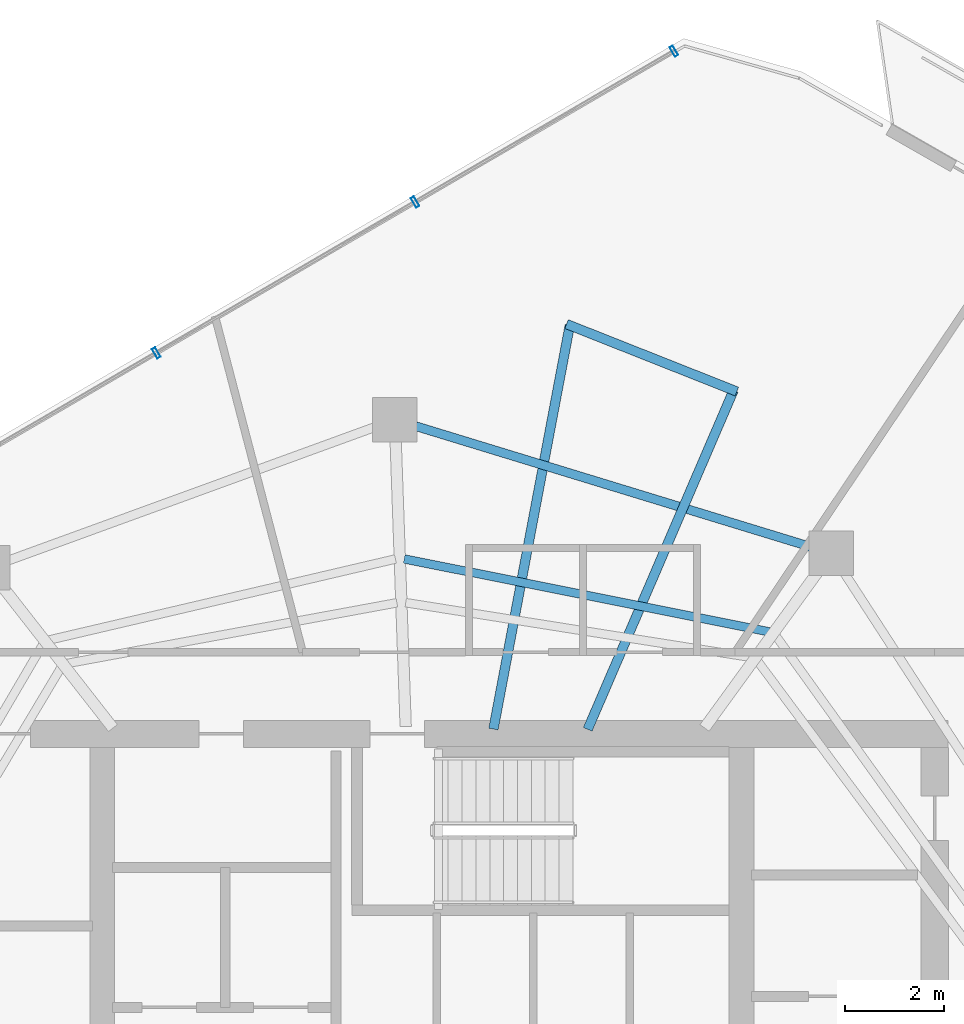
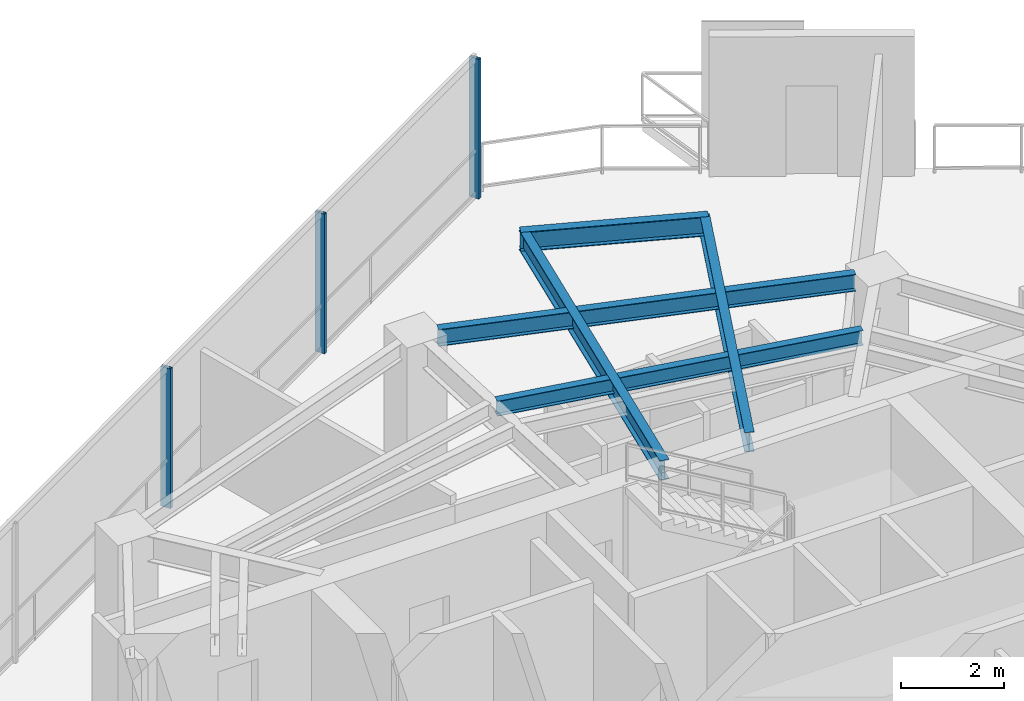
# One storey, part 12 of 19: 5 beams, 3 members, 1 element without a shape of its own.
"""IFC4 building model written with IfcOpenShell, lengths in metres."""

import ifcopenshell
import ifcopenshell.guid

model = None  # the IFC model being written
_history = None  # IfcOwnerHistory: only IFC2X3 demands one
_inside = {}  # id of a spatial element -> (the spatial element, [elements in it])
_under = {}  # id of a project, library or spatial element -> (it, [spatial elements below it])
_declared = {}  # id of a project -> (the project, [libraries it declares])
_typed = {}  # id of a type object -> (the type object, [elements of that type])
_made_of = {}  # id of a material, layer set ... -> (it, [elements and type objects made of it])


def new_model(schema):
    """Start an empty IFC model of exactly this schema.

    Asked for "IFC4X3", IfcOpenShell would pick the latest addendum, in which some entities
    have other attributes; the version numbers below select the first issue.
    IFC2X3 requires an IfcOwnerHistory on every rooted entity: one is made here for all.
    """
    global model, _history
    if schema == "IFC4X3":
        model = ifcopenshell.file(schema_version=(4, 3, 0, 0))
    else:
        model = ifcopenshell.file(schema=schema)
    _inside.clear()
    _under.clear()
    _declared.clear()
    _typed.clear()
    _made_of.clear()
    _history = None
    if model.schema == "IFC2X3":
        org = make("IfcOrganization", Name="unknown")
        user = make(
            "IfcPersonAndOrganization",
            ThePerson=make("IfcPerson", FamilyName="unknown"),
            TheOrganization=org,
        )
        app = make(
            "IfcApplication",
            ApplicationDeveloper=org,
            Version="unknown",
            ApplicationFullName="unknown",
            ApplicationIdentifier="unknown",
        )
        _history = make(
            "IfcOwnerHistory",
            OwningUser=user,
            OwningApplication=app,
            ChangeAction="ADDED",
            CreationDate=0,
        )
    return model


def make(cls, **values):
    """One entity of the class cls with the attributes given. An attribute that is None is left unset."""
    return model.create_entity(
        cls, **{name: value for name, value in values.items() if value is not None}
    )


def rooted(cls, **values):
    """An entity with a GlobalId (a new one), such as an element, a storey or a relation."""
    return make(cls, GlobalId=ifcopenshell.guid.new(), OwnerHistory=_history, **values)


def si_unit(unit_type, name, prefix=None):
    """IfcSIUnit, for example si_unit("LENGTHUNIT", "METRE", prefix="MILLI")."""
    return make("IfcSIUnit", UnitType=unit_type, Prefix=prefix, Name=name)


def assignment(units):
    """IfcUnitAssignment: the units of a project."""
    return None if units is None else make("IfcUnitAssignment", Units=units)


def point(xyz):
    """IfcCartesianPoint."""
    return None if xyz is None else make("IfcCartesianPoint", Coordinates=xyz)


def direction(xyz):
    """IfcDirection."""
    return None if xyz is None else make("IfcDirection", DirectionRatios=xyz)


def frame(location, z_axis=None, x_axis=None):
    """IfcAxis2Placement3D, a coordinate frame: its origin and axes. An axis left out is left unset."""
    return make(
        "IfcAxis2Placement3D",
        Location=point(location),
        Axis=direction(z_axis),
        RefDirection=direction(x_axis),
    )


def frame_2d(location, x_axis=None):
    """IfcAxis2Placement2D, a coordinate frame in the plane: its origin and x axis."""
    return make(
        "IfcAxis2Placement2D", Location=point(location), RefDirection=direction(x_axis)
    )


def origin():
    """The frame at (0, 0, 0) with its axes left unset."""
    return frame((0.0, 0.0, 0.0))


def origin_2d():
    """The frame at (0, 0) in the plane with its x axis left unset."""
    return frame_2d((0.0, 0.0))


def place(relative_to, where):
    """IfcLocalPlacement: puts the frame where relative to a parent placement (None: the world)."""
    return make(
        "IfcLocalPlacement", PlacementRelTo=relative_to, RelativePlacement=where
    )


def context(
    kind, dimensions, precision=None, world=None, true_north=None, identifier=None
):
    """IfcGeometricRepresentationContext, for example the 3D "Model" context."""
    return make(
        "IfcGeometricRepresentationContext",
        ContextIdentifier=identifier,
        ContextType=kind,
        CoordinateSpaceDimension=dimensions,
        Precision=precision,
        WorldCoordinateSystem=world,
        TrueNorth=true_north,
    )


def subcontext(parent, identifier, kind, view, scale=None):
    """IfcGeometricRepresentationSubContext, for example "Body" below "Model"."""
    return make(
        "IfcGeometricRepresentationSubContext",
        ContextIdentifier=identifier,
        ContextType=kind,
        ParentContext=parent,
        TargetScale=scale,
        TargetView=view,
    )


def project(units=None, contexts=None):
    """IfcProject with its units and contexts."""
    return rooted(
        "IfcProject",
        Name="project",
        RepresentationContexts=contexts,
        UnitsInContext=assignment(units),
    )


def spatial(cls, under=None, at=None, **own):
    """A site, building, storey or space (cls), placed at a placement, below another one or the project."""
    s = rooted(cls, ObjectPlacement=at, **own)
    if under is not None:
        _under.setdefault(under.id(), (under, []))[1].append(s)
    return s


def profile(cls, at=None, kind="AREA", **sizes):
    """A parametric profile (cls). Its sizes go by their IFC names, for example OverallWidth=200.0."""
    return make(cls, ProfileType=kind, Position=at, **sizes)


def hollow_rectangle(**sizes):
    """IfcRectangleHollowProfileDef."""
    return profile("IfcRectangleHollowProfileDef", **sizes)


def i_section(**sizes):
    """IfcIShapeProfileDef."""
    return profile("IfcIShapeProfileDef", **sizes)


def extrude(swept, where, along, depth):
    """IfcExtrudedAreaSolid: the profile swept, set in the frame where, extruded along a direction by depth."""
    return make(
        "IfcExtrudedAreaSolid",
        SweptArea=swept,
        Position=where,
        ExtrudedDirection=direction(along),
        Depth=depth,
    )


def shape(context_of_items, identifier, shape_type, items):
    """IfcShapeRepresentation: the items that make up one representation, for example the "Body"."""
    return make(
        "IfcShapeRepresentation",
        ContextOfItems=context_of_items,
        RepresentationIdentifier=identifier,
        RepresentationType=shape_type,
        Items=items,
    )


def material(Name=None, Category=None):
    """IfcMaterial."""
    return make("IfcMaterial", Name=Name, Category=Category)


def layer(
    of_material, thickness, ventilated=None, Name=None, Category=None, Priority=None
):
    """IfcMaterialLayer: one layer of a wall or slab, of a material (None: an air gap)."""
    return make(
        "IfcMaterialLayer",
        Material=of_material,
        LayerThickness=thickness,
        IsVentilated=ventilated,
        Name=Name,
        Category=Category,
        Priority=Priority,
    )


def layer_set(layers, Name=None):
    """IfcMaterialLayerSet."""
    return make("IfcMaterialLayerSet", MaterialLayers=layers, LayerSetName=Name)


def material_profile(
    of_material, cross_section, Name=None, Category=None, Priority=None
):
    """IfcMaterialProfile: a cross section and its material."""
    return make(
        "IfcMaterialProfile",
        Name=Name,
        Material=of_material,
        Profile=cross_section,
        Priority=Priority,
        Category=Category,
    )


def profile_set(profiles, Name=None, composite=None):
    """IfcMaterialProfileSet."""
    return make(
        "IfcMaterialProfileSet",
        Name=Name,
        MaterialProfiles=profiles,
        CompositeProfile=composite,
    )


def made_of(thing, what):
    """Note that an element or type object is made of a material, layer set ...; save() writes the relation."""
    if what is not None:
        _made_of.setdefault(what.id(), (what, []))[1].append(thing)
    return thing


def type_object(cls, material=None, **own):
    """A type object (cls), such as IfcWallType, which elements share."""
    return made_of(rooted(cls, **own), material)


def element(
    cls,
    number,
    at=None,
    inside=None,
    cuts=None,
    type_object=None,
    material=None,
    context=None,
    identifier="Body",
    shape_type=None,
    held_by="IfcProductDefinitionShape",
    body=None,
    shapes=None,
    **own,
):
    """One element of the class cls, such as IfcWall. Its Tag is "e" and its number.

    at: its placement. inside: the storey or other place that contains it. cuts: it is an
    opening in that element (IfcRelVoidsElement). A single representation is given by context,
    identifier, shape_type and body (its items); several are given by shapes. held_by: the class
    of the entity that holds the representations. save() writes the other relations.
    """
    e = rooted(cls, Tag="e%d" % number, ObjectPlacement=at, **own)
    if body is not None:
        shapes = [shape(context, identifier, shape_type, body)]
    if shapes is not None:
        e.Representation = make(held_by, Representations=shapes)
    if inside is not None:
        _inside.setdefault(inside.id(), (inside, []))[1].append(e)
    if cuts is not None:
        rooted(
            "IfcRelVoidsElement", RelatingBuildingElement=cuts, RelatedOpeningElement=e
        )
    if type_object is not None:
        _typed.setdefault(type_object.id(), (type_object, []))[1].append(e)
    return made_of(e, material)


def aggregate(whole, parts):
    """IfcRelAggregates: a whole, such as a stair, and the parts it consists of."""
    return rooted("IfcRelAggregates", RelatingObject=whole, RelatedObjects=parts)


def save(model, path):
    """Write the relations noted so far, then the file.

    IfcRelAggregates (storeys below a building ...), IfcRelContainedInSpatialStructure (elements
    in a storey), IfcRelDefinesByType, IfcRelAssociatesMaterial and IfcRelDeclares: one each for
    every whole, place, type object, material and project.
    """
    for whole, parts in _under.values():
        aggregate(whole, parts)
    for where, things in _inside.values():
        rooted(
            "IfcRelContainedInSpatialStructure",
            RelatedElements=things,
            RelatingStructure=where,
        )
    for kind, things in _typed.values():
        rooted("IfcRelDefinesByType", RelatedObjects=things, RelatingType=kind)
    for what, things in _made_of.values():
        rooted("IfcRelAssociatesMaterial", RelatedObjects=things, RelatingMaterial=what)
    for by, libraries in _declared.values():
        rooted("IfcRelDeclares", RelatingContext=by, RelatedDefinitions=libraries)
    model.write(path)


model = new_model("IFC4")

# Units and contexts
model_context = context("Model", 3, precision=1e-05, world=origin(), true_north=direction((0.0, 1.0)))
body_context = subcontext(model_context, "Body", "Model", "MODEL_VIEW")
ifc_project = project(units=[si_unit("LENGTHUNIT", "METRE"), si_unit("AREAUNIT", "SQUARE_METRE"), si_unit("VOLUMEUNIT", "CUBIC_METRE"), si_unit("PLANEANGLEUNIT", "RADIAN"), si_unit("MASSUNIT", "GRAM", prefix="KILO")], contexts=[model_context])

# Site, building, storey
site_placement = place(None, origin())
site = spatial("IfcSite", under=ifc_project, at=site_placement, CompositionType="ELEMENT")
building_placement = place(site_placement, origin())
building = spatial("IfcBuilding", under=site, at=building_placement, Name="Qarnah Convention Tower", CompositionType="ELEMENT")
storey_placement = place(building_placement, frame((0.0, 0.0, 180.60009765625)))
storey = spatial("IfcBuildingStorey", under=building, at=storey_placement, Name="L48", CompositionType="ELEMENT", Elevation=180.60009765625)

# Beams
ifc_material_1 = material(Name="Structural steel S355JR", Category="steel")
ifc_material_profile_1 = material_profile(ifc_material_1, i_section(OverallWidth=0.19189453125, OverallDepth=0.464111328125, WebThickness=0.010986328125, FlangeThickness=0.01806640625, at=origin_2d()), Name="W460X89")
ifc_profile_set_1 = profile_set([ifc_material_profile_1], Name="Structural steel S355JR")
beam_type_1 = type_object("IfcBeamType", Name="BM-CANT-W460A", PredefinedType="BEAM", material=ifc_profile_set_1)
beam_1_placement = place(storey_placement, frame((40.596923828125, 34.2919921875, 3.087890625), z_axis=(0.395334358974, 0.91853728537, 0.0), x_axis=(-0.91853728537, 0.395334358974, 0.0)))
element("IfcBeam", 1, at=beam_1_placement, inside=storey, type_object=beam_type_1, Name="L48 beam BM-L48-CNT-01-1", PredefinedType="BEAM", context=body_context, shape_type="SweptSolid", body=[
    extrude(i_section(OverallWidth=0.19189453125, OverallDepth=0.464111328125, WebThickness=0.010986328125, FlangeThickness=0.01806640625, at=origin_2d()), origin(), (0.0, 0.0, 1.0), 7.4521484375),
])
beam_2_placement = place(storey_placement, frame((38.694091796875, 34.298095703125, 3.087890625), z_axis=(0.185927001241, 0.982563560392, 0.0), x_axis=(-0.982563560392, 0.185927001241, 0.0)))
element("IfcBeam", 2, at=beam_2_placement, inside=storey, type_object=beam_type_1, Name="L48 beam BM-L48-CNT-01-2", PredefinedType="BEAM", context=body_context, shape_type="SweptSolid", body=[
    extrude(i_section(OverallWidth=0.19189453125, OverallDepth=0.464111328125, WebThickness=0.010986328125, FlangeThickness=0.01806640625, at=origin_2d()), origin(), (0.0, 0.0, 1.0), 8.29345703125),
])
beam_3_placement = place(storey_placement, frame((43.60791015625, 41.111083984375, 3.087890625), z_axis=(-0.929683207284, 0.368360060394, 0.0), x_axis=(-0.368360060394, -0.929683207284, 0.0)))
element("IfcBeam", 3, at=beam_3_placement, inside=storey, type_object=beam_type_1, Name="L48 spandrel BM-L48-CTIE-01", PredefinedType="SPANDREL", context=body_context, shape_type="SweptSolid", body=[
    extrude(i_section(OverallWidth=0.19189453125, OverallDepth=0.464111328125, WebThickness=0.010986328125, FlangeThickness=0.01806640625, at=origin_2d()), origin(), (0.0, 0.0, 1.0), 3.697021484375),
])
ifc_material_profile_2 = material_profile(ifc_material_1, i_section(OverallWidth=0.172119140625, OverallDepth=0.35595703125, WebThickness=0.007080078125, FlangeThickness=0.011962890625, at=origin_2d()), Name="W360X51")
ifc_profile_set_2 = profile_set([ifc_material_profile_2], Name="Structural steel S355JR")
beam_type_2 = type_object("IfcBeamType", Name="BM-JST-W360", PredefinedType="JOIST", material=ifc_profile_set_2)
beam_4_placement = place(storey_placement, frame((44.262939453125, 36.260986328125, 3.141845703125), z_axis=(-0.980638100226, 0.195828793556, 0.0), x_axis=(-0.195828793556, -0.980638100226, 0.0)))
element("IfcBeam", 4, at=beam_4_placement, inside=storey, type_object=beam_type_2, Name="L48 joist BM-L48-SJST-02", PredefinedType="JOIST", context=body_context, shape_type="SweptSolid", body=[
    extrude(i_section(OverallWidth=0.172119140625, OverallDepth=0.35595703125, WebThickness=0.007080078125, FlangeThickness=0.011962890625, at=origin_2d()), origin(), (0.0, 0.0, 1.0), 7.516357421875),
])
ifc_material_profile_3 = material_profile(ifc_material_1, i_section(OverallWidth=0.179931640625, OverallDepth=0.39990234375, WebThickness=0.009033203125, FlangeThickness=0.013916015625, at=origin_2d()), Name="IPE400")
ifc_profile_set_3 = profile_set([ifc_material_profile_3], Name="Structural steel S355JR")
beam_type_3 = type_object("IfcBeamType", Name="BM-SPN-IPE400", PredefinedType="SPANDREL", material=ifc_profile_set_3)
beam_5_placement = place(storey_placement, frame((45.095947265625, 37.97705078125, 3.119873046875), z_axis=(-0.956348614223, 0.292228212318, 0.0), x_axis=(-0.292228212318, -0.956348614223, 0.0)))
element("IfcBeam", 5, at=beam_5_placement, inside=storey, type_object=beam_type_3, Name="L48 spandrel BM-L48-SPN-02", PredefinedType="SPANDREL", context=body_context, shape_type="SweptSolid", body=[
    extrude(i_section(OverallWidth=0.179931640625, OverallDepth=0.39990234375, WebThickness=0.009033203125, FlangeThickness=0.013916015625, at=origin_2d()), origin(), (0.0, 0.0, 1.0), 8.332763671875),
])

# Curtain wall, members
ifc_material_2 = material(Name="Tempered Low-E dark glass", Category="glass")
ifc_layer = layer(ifc_material_2, 0.174072265625)
ifc_layer_set = layer_set([ifc_layer], Name="Tempered Low-E dark glass")
curtain_wall_type = type_object("IfcCurtainWallType", Name="CWS-04", PredefinedType="NOTDEFINED", material=ifc_layer_set)
curtain_wall_placement = place(storey_placement, origin())
curtain_wall = element("IfcCurtainWall", 6, at=curtain_wall_placement, inside=storey, type_object=curtain_wall_type, Name="L48 unitised curtain wall CW-L48-F3", PredefinedType="NOTDEFINED")
ifc_material_3 = material(Name="Black anodised aluminium", Category="aluminium")
ifc_material_profile_4 = material_profile(ifc_material_3, hollow_rectangle(XDim=0.074951171875, YDim=0.219970703125, WallThickness=0.0048828125, at=origin_2d()), Name="MUL-75X220")
ifc_profile_set_4 = profile_set([ifc_material_profile_4], Name="Black anodised aluminium")
member_type = type_object("IfcMemberType", Name="MUL-T4", PredefinedType="MULLION", material=ifc_profile_set_4)
member_1_placement = place(storey_placement, frame((31.889404296875, 41.89111328125, 0.0), z_axis=(0.0, 0.0, 1.0), x_axis=(0.863909634333, 0.503646844234, 0.0)))
member_1 = element("IfcMember", 7, at=member_1_placement, type_object=member_type, Name="CW-L48-F3 mullion 4", PredefinedType="MULLION", context=body_context, shape_type="SweptSolid", body=[
    extrude(hollow_rectangle(XDim=0.074951171875, YDim=0.219970703125, WallThickness=0.0048828125, at=origin_2d()), origin(), (0.0, 0.0, 1.0), 3.31982421875),
])
member_2_placement = place(storey_placement, frame((37.11328125, 44.9365234375, 0.0), z_axis=(0.0, 0.0, 1.0), x_axis=(0.863909634333, 0.503646844234, 0.0)))
member_2 = element("IfcMember", 8, at=member_2_placement, type_object=member_type, Name="CW-L48-F3 mullion 5", PredefinedType="MULLION", context=body_context, shape_type="SweptSolid", body=[
    extrude(hollow_rectangle(XDim=0.074951171875, YDim=0.219970703125, WallThickness=0.0048828125, at=origin_2d()), origin(), (0.0, 0.0, 1.0), 3.31982421875),
])
member_3_placement = place(storey_placement, frame((42.3369140625, 47.98193359375, 0.0), z_axis=(0.0, 0.0, 1.0), x_axis=(0.863909634333, 0.503646844234, 0.0)))
member_3 = element("IfcMember", 9, at=member_3_placement, type_object=member_type, Name="CW-L48-F3 mullion 6", PredefinedType="MULLION", context=body_context, shape_type="SweptSolid", body=[
    extrude(hollow_rectangle(XDim=0.074951171875, YDim=0.219970703125, WallThickness=0.0048828125, at=origin_2d()), origin(), (0.0, 0.0, 1.0), 3.31982421875),
])
aggregate(curtain_wall, [member_1, member_2, member_3])

save(model, "model.ifc")
